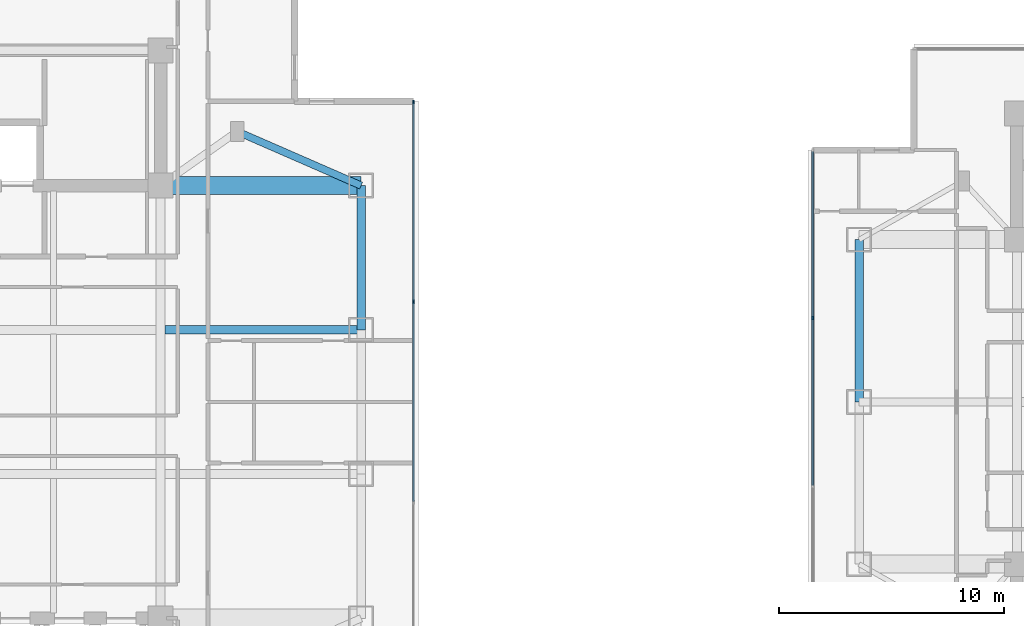
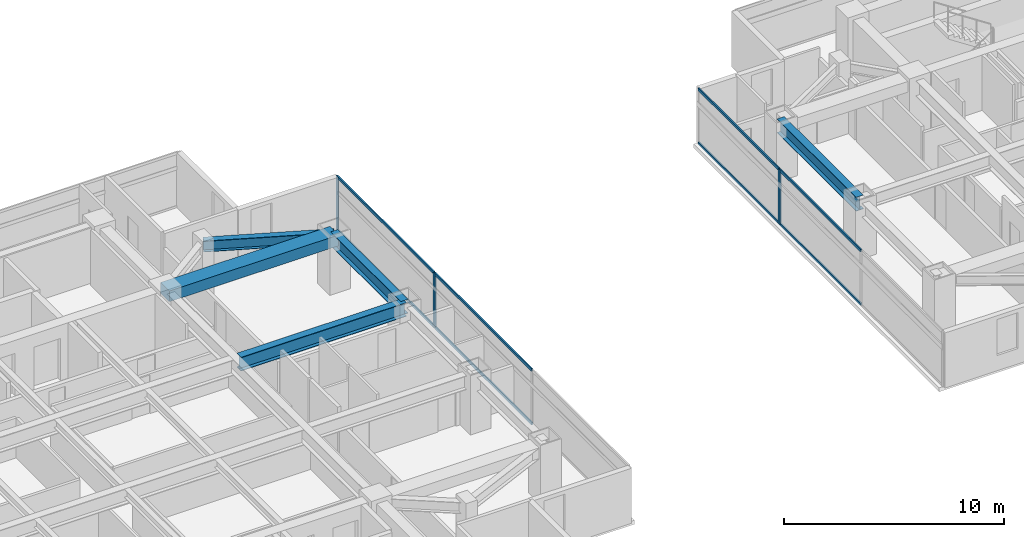
# One storey, part 6 of 26: 11 members, 5 beams, 2 elements without a shape of their own.
"""IFC4 building model written with IfcOpenShell, lengths in metres."""

from ifc_helpers import new_model, si_unit, direction, frame, origin, origin_2d, place, context, subcontext, project, spatial, rectangle, i_section, extrude, material, material_profile, profile_set, type_object, element, aggregate, save


model = new_model("IFC4")

# Units and contexts
model_context = context("Model", 3, precision=1e-05, world=origin(), true_north=direction((0.0, 1.0)))
body_context = subcontext(model_context, "Body", "Model", "MODEL_VIEW")
ifc_project = project(units=[si_unit("LENGTHUNIT", "METRE"), si_unit("AREAUNIT", "SQUARE_METRE"), si_unit("VOLUMEUNIT", "CUBIC_METRE"), si_unit("PLANEANGLEUNIT", "RADIAN"), si_unit("MASSUNIT", "GRAM", prefix="KILO")], contexts=[model_context])

# Site, building, storey
site_placement = place(None, origin())
site = spatial("IfcSite", under=ifc_project, at=site_placement, CompositionType="ELEMENT")
building_placement = place(site_placement, origin())
building = spatial("IfcBuilding", under=site, at=building_placement, Name="Mirazonda Arch Towers", CompositionType="ELEMENT")
storey_placement = place(building_placement, frame((0.0, 0.0, 128.0)))
storey = spatial("IfcBuildingStorey", under=building, at=storey_placement, Name="L36", CompositionType="ELEMENT", Elevation=128.0)

# Beams
ifc_material_1 = material(Name="Steel ASTM A992 Grade 50", Category="steel")
ifc_material_profile_1 = material_profile(ifc_material_1, i_section(OverallWidth=0.381103515625, OverallDepth=0.77294921875, WebThickness=0.0166015625, FlangeThickness=0.027099609375, at=origin_2d()), Name="W30X173")
ifc_profile_set_1 = profile_set([ifc_material_profile_1], Name="Steel ASTM A992 Grade 50")
beam_type_1 = type_object("IfcBeamType", Name="BM-EXT-W30X173", PredefinedType="USERDEFINED", material=ifc_profile_set_1)
beam_1_placement = place(storey_placement, frame((38.89990234375, 31.199951171875, 2.693603515625), z_axis=(0.0, 1.0, 0.0), x_axis=(-1.0, 0.0, 0.0)))
element("IfcBeam", 1, at=beam_1_placement, inside=storey, type_object=beam_type_1, Name="L36 Floor Beam BM-T1-L36-NS-E-31", ObjectType="GIRDER", PredefinedType="USERDEFINED", context=body_context, shape_type="SweptSolid", body=[
    extrude(i_section(OverallWidth=0.381103515625, OverallDepth=0.77294921875, WebThickness=0.0166015625, FlangeThickness=0.027099609375, at=origin_2d()), origin(), (0.0, 0.0, 1.0), 6.400146484375),
])
beam_2_placement = place(storey_placement, frame((61.0, 28.0, 2.693603515625), z_axis=(0.0, 1.0, 0.0), x_axis=(-1.0, 0.0, 0.0)))
element("IfcBeam", 2, at=beam_2_placement, inside=storey, type_object=beam_type_1, Name="L36 Floor Beam BM-T2-L36-NS-W-28", ObjectType="GIRDER", PredefinedType="USERDEFINED", context=body_context, shape_type="SweptSolid", body=[
    extrude(i_section(OverallWidth=0.381103515625, OverallDepth=0.77294921875, WebThickness=0.0166015625, FlangeThickness=0.027099609375, at=origin_2d()), origin(), (0.0, 0.0, 1.0), 7.199951171875),
])
ifc_material_profile_2 = material_profile(ifc_material_1, i_section(OverallWidth=0.324951171875, OverallDepth=0.615966796875, WebThickness=0.013916015625, FlangeThickness=0.021484375, at=origin_2d()), Name="W24X117")
ifc_profile_set_2 = profile_set([ifc_material_profile_2], Name="Steel ASTM A992 Grade 50")
beam_type_2 = type_object("IfcBeamType", Name="BM-INT-W24X117", PredefinedType="BEAM", material=ifc_profile_set_2)
beam_3_placement = place(storey_placement, frame((33.39990234375, 40.0, 2.77197265625), z_axis=(0.916545343703, -0.399930785183, 0.0), x_axis=(0.399930785183, 0.916545343703, 0.0)))
element("IfcBeam", 3, at=beam_3_placement, inside=storey, type_object=beam_type_2, Name="L36 Floor Beam BM-T1-L36-PL-NE2", PredefinedType="BEAM", context=body_context, shape_type="SweptSolid", body=[
    extrude(i_section(OverallWidth=0.324951171875, OverallDepth=0.615966796875, WebThickness=0.013916015625, FlangeThickness=0.021484375, at=origin_2d()), origin(), (0.0, 0.0, 1.0), 6.000732421875),
])
ifc_material_profile_3 = material_profile(ifc_material_1, i_section(OverallWidth=0.381103515625, OverallDepth=0.77294921875, WebThickness=0.0166015625, FlangeThickness=0.027099609375, at=origin_2d()), Name="W30X173")
ifc_profile_set_3 = profile_set([ifc_material_profile_3], Name="Steel ASTM A992 Grade 50")
beam_type_3 = type_object("IfcBeamType", Name="BM-INT-W30X173", PredefinedType="USERDEFINED", material=ifc_profile_set_3)
beam_4_placement = place(storey_placement, frame((30.199951171875, 31.199951171875, 2.693603515625), z_axis=(1.0, 0.0, 0.0), x_axis=(0.0, 1.0, 0.0)))
element("IfcBeam", 4, at=beam_4_placement, inside=storey, type_object=beam_type_3, Name="L36 Floor Beam BM-T1-L36-GE3", ObjectType="GIRDER", PredefinedType="USERDEFINED", context=body_context, shape_type="SweptSolid", body=[
    extrude(i_section(OverallWidth=0.381103515625, OverallDepth=0.77294921875, WebThickness=0.0166015625, FlangeThickness=0.027099609375, at=origin_2d()), origin(), (0.0, 0.0, 1.0), 8.699951171875),
])
ifc_material_2 = material(Name="Concrete C60/75", Category="concrete")
ifc_material_profile_4 = material_profile(ifc_material_2, rectangle(XDim=0.800048828125, YDim=0.60009765625, at=origin_2d()), Name="RCCB800x600")
ifc_profile_set_4 = profile_set([ifc_material_profile_4], Name="Concrete C60/75")
beam_type_4 = type_object("IfcBeamType", Name="CB-INT-RCCB800x600", PredefinedType="SPANDREL", material=ifc_profile_set_4)
beam_5_placement = place(storey_placement, frame((30.0, 37.60009765625, 2.780029296875), z_axis=(1.0, 0.0, 0.0), x_axis=(0.0, 1.0, 0.0)))
element("IfcBeam", 5, at=beam_5_placement, inside=storey, type_object=beam_type_4, Name="L36 Floor Beam CBC-T1-L36-NE", PredefinedType="SPANDREL", context=body_context, shape_type="SweptSolid", body=[
    extrude(rectangle(XDim=0.800048828125, YDim=0.60009765625, at=origin_2d()), origin(), (0.0, 0.0, 1.0), 8.89990234375),
])

# Curtain wall, members
ifc_material_3 = material(Name="Anodised Aluminium and Low-E Glass", Category="aluminium")
curtain_wall_type = type_object("IfcCurtainWallType", Name="CW-HTL-UNIT", PredefinedType="NOTDEFINED", material=ifc_material_3)
curtain_wall_1_placement = place(storey_placement, origin())
curtain_wall_1 = element("IfcCurtainWall", 6, at=curtain_wall_1_placement, inside=storey, type_object=curtain_wall_type, Name="L36 T1 E Facade CW-L36-T1-E", PredefinedType="NOTDEFINED")
ifc_material_4 = material(Name="Anodised Aluminium Alloy", Category="aluminium")
ifc_material_profile_5 = material_profile(ifc_material_4, rectangle(XDim=0.074951171875, YDim=0.1650390625, at=origin_2d()), Name="ALU-MULL-75x165")
ifc_profile_set_5 = profile_set([ifc_material_profile_5], Name="Anodised Aluminium Alloy")
member_type_1 = type_object("IfcMemberType", Name="MULL-CW-HTL-UNIT", PredefinedType="MULLION", material=ifc_profile_set_5)
member_1_placement = place(storey_placement, frame((41.219970703125, 32.447998046875, 0.0), z_axis=(0.0, 0.0, 1.0), x_axis=(-1.0, 0.0, 0.0)))
member_1 = element("IfcMember", 7, at=member_1_placement, type_object=member_type_1, Name="CW-112 mullion 3", PredefinedType="MULLION", context=body_context, shape_type="SweptSolid", body=[
    extrude(rectangle(XDim=0.074951171875, YDim=0.1650390625, at=origin_2d()), origin(), (0.0, 0.0, 1.0), 3.06005859375),
])
member_2_placement = place(storey_placement, frame((41.219970703125, 41.306396484375, 0.0), z_axis=(0.0, 0.0, 1.0), x_axis=(-1.0, 0.0, 0.0)))
member_2 = element("IfcMember", 8, at=member_2_placement, type_object=member_type_1, Name="CW-112 mullion 4", PredefinedType="MULLION", context=body_context, shape_type="SweptSolid", body=[
    extrude(rectangle(XDim=0.074951171875, YDim=0.1650390625, at=origin_2d()), origin(), (0.0, 0.0, 1.0), 3.06005859375),
])

# Curtain wall, member
curtain_wall_2_placement = place(storey_placement, origin())
curtain_wall_2 = element("IfcCurtainWall", 9, at=curtain_wall_2_placement, inside=storey, type_object=curtain_wall_type, Name="L36 T2 W Facade CW-L36-T2-W", PredefinedType="NOTDEFINED")
member_3_placement = place(storey_placement, frame((58.94091796875, 31.7275390625, 0.0), z_axis=(0.0, 0.0, 1.0), x_axis=(1.0, 0.0, 0.0)))
member_3 = element("IfcMember", 10, at=member_3_placement, type_object=member_type_1, Name="CW-112 mullion 2", PredefinedType="MULLION", context=body_context, shape_type="SweptSolid", body=[
    extrude(rectangle(XDim=0.074951171875, YDim=0.1650390625, at=origin_2d()), origin(), (0.0, 0.0, 1.0), 3.06005859375),
])

# Member
ifc_material_profile_6 = material_profile(ifc_material_4, rectangle(XDim=0.074951171875, YDim=0.14501953125, at=origin_2d()), Name="ALU-TRAN-75x145")
ifc_profile_set_6 = profile_set([ifc_material_profile_6], Name="Anodised Aluminium Alloy")
member_type_2 = type_object("IfcMemberType", Name="TRAN-CW-HTL-UNIT", PredefinedType="USERDEFINED", material=ifc_profile_set_6)
member_4_placement = place(storey_placement, frame((41.219970703125, 23.589599609375, 0.03759765625), z_axis=(0.0, 1.0, 0.0), x_axis=(-1.0, 0.0, 0.0)))
member_4 = element("IfcMember", 11, at=member_4_placement, type_object=member_type_2, Name="CW-112 transom 2.1", ObjectType="TRANSOM", PredefinedType="USERDEFINED", context=body_context, shape_type="SweptSolid", body=[
    extrude(rectangle(XDim=0.074951171875, YDim=0.14501953125, at=origin_2d()), origin(), (0.0, 0.0, 1.0), 8.82080078125),
])

member_5_placement = place(storey_placement, frame((41.219970703125, 23.589599609375, 3.0224609375), z_axis=(0.0, 1.0, 0.0), x_axis=(-1.0, 0.0, 0.0)))
member_5 = element("IfcMember", 12, at=member_5_placement, type_object=member_type_2, Name="CW-112 transom 2.2", ObjectType="TRANSOM", PredefinedType="USERDEFINED", context=body_context, shape_type="SweptSolid", body=[
    extrude(rectangle(XDim=0.074951171875, YDim=0.14501953125, at=origin_2d()), origin(), (0.0, 0.0, 1.0), 8.82080078125),
])

member_6_placement = place(storey_placement, frame((41.219970703125, 32.485595703125, 0.03759765625), z_axis=(0.0, 1.0, 0.0), x_axis=(-1.0, 0.0, 0.0)))
member_6 = element("IfcMember", 13, at=member_6_placement, type_object=member_type_2, Name="CW-112 transom 3.1", ObjectType="TRANSOM", PredefinedType="USERDEFINED", context=body_context, shape_type="SweptSolid", body=[
    extrude(rectangle(XDim=0.074951171875, YDim=0.14501953125, at=origin_2d()), origin(), (0.0, 0.0, 1.0), 8.783447265625),
])

member_7_placement = place(storey_placement, frame((41.219970703125, 32.485595703125, 3.0224609375), z_axis=(0.0, 1.0, 0.0), x_axis=(-1.0, 0.0, 0.0)))
member_7 = element("IfcMember", 14, at=member_7_placement, type_object=member_type_2, Name="CW-112 transom 3.2", ObjectType="TRANSOM", PredefinedType="USERDEFINED", context=body_context, shape_type="SweptSolid", body=[
    extrude(rectangle(XDim=0.074951171875, YDim=0.14501953125, at=origin_2d()), origin(), (0.0, 0.0, 1.0), 8.783447265625),
])

aggregate(curtain_wall_1, [member_1, member_2, member_4, member_5, member_6, member_7])

member_8_placement = place(storey_placement, frame((58.94091796875, 39.107421875, 0.03759765625), z_axis=(0.0, -1.0, 0.0), x_axis=(1.0, 0.0, 0.0)))
member_8 = element("IfcMember", 15, at=member_8_placement, type_object=member_type_2, Name="CW-112 transom 1.1", ObjectType="TRANSOM", PredefinedType="USERDEFINED", context=body_context, shape_type="SweptSolid", body=[
    extrude(rectangle(XDim=0.074951171875, YDim=0.14501953125, at=origin_2d()), origin(), (0.0, 0.0, 1.0), 7.342529296875),
])

member_9_placement = place(storey_placement, frame((58.94091796875, 39.107421875, 3.0224609375), z_axis=(0.0, -1.0, 0.0), x_axis=(1.0, 0.0, 0.0)))
member_9 = element("IfcMember", 16, at=member_9_placement, type_object=member_type_2, Name="CW-112 transom 1.2", ObjectType="TRANSOM", PredefinedType="USERDEFINED", context=body_context, shape_type="SweptSolid", body=[
    extrude(rectangle(XDim=0.074951171875, YDim=0.14501953125, at=origin_2d()), origin(), (0.0, 0.0, 1.0), 7.342529296875),
])

member_10_placement = place(storey_placement, frame((58.94091796875, 31.68994140625, 0.03759765625), z_axis=(0.0, -1.0, 0.0), x_axis=(1.0, 0.0, 0.0)))
member_10 = element("IfcMember", 17, at=member_10_placement, type_object=member_type_2, Name="CW-112 transom 2.1", ObjectType="TRANSOM", PredefinedType="USERDEFINED", context=body_context, shape_type="SweptSolid", body=[
    extrude(rectangle(XDim=0.074951171875, YDim=0.14501953125, at=origin_2d()), origin(), (0.0, 0.0, 1.0), 7.3798828125),
])

member_11_placement = place(storey_placement, frame((58.94091796875, 31.68994140625, 3.0224609375), z_axis=(0.0, -1.0, 0.0), x_axis=(1.0, 0.0, 0.0)))
member_11 = element("IfcMember", 18, at=member_11_placement, type_object=member_type_2, Name="CW-112 transom 2.2", ObjectType="TRANSOM", PredefinedType="USERDEFINED", context=body_context, shape_type="SweptSolid", body=[
    extrude(rectangle(XDim=0.074951171875, YDim=0.14501953125, at=origin_2d()), origin(), (0.0, 0.0, 1.0), 7.3798828125),
])

aggregate(curtain_wall_2, [member_3, member_8, member_9, member_10, member_11])

save(model, "model.ifc")
